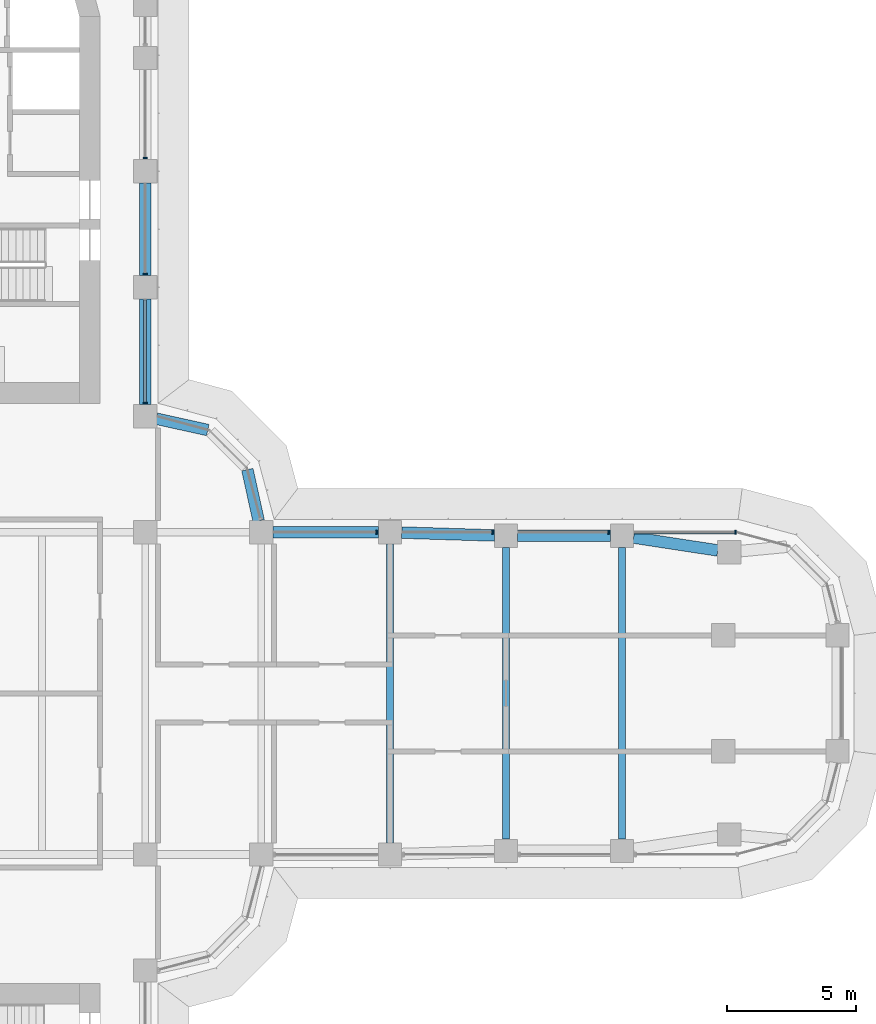
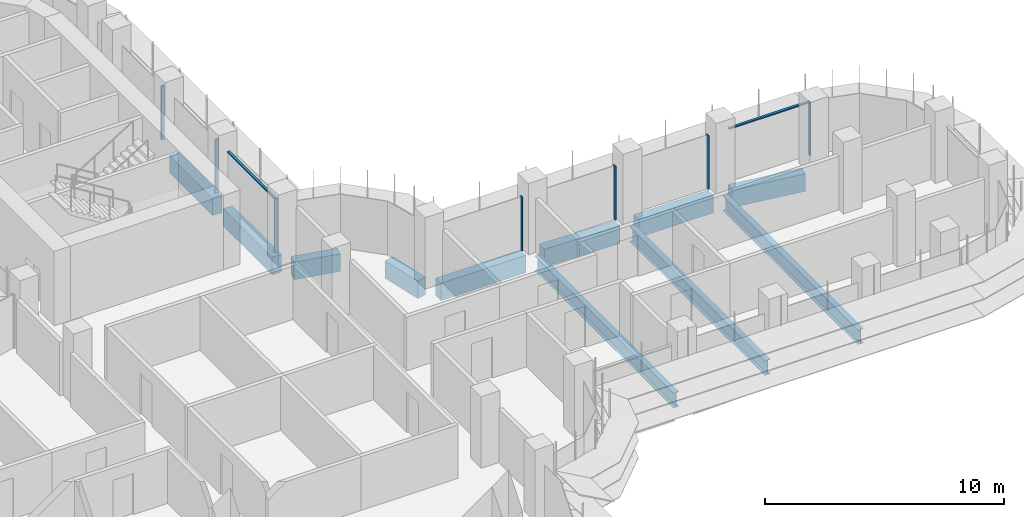
# One storey, part 8 of 22: 11 beams, 9 members, 2 elements without a shape of their own.
"""IFC4 building model written with IfcOpenShell, lengths in metres."""

from ifc_helpers import new_model, si_unit, direction, frame, origin, origin_2d, place, context, subcontext, project, spatial, polyline, rectangle, i_section, outline, extrude, source, transform, mapped, material, material_profile, profile_set, type_object, element, aggregate, save


model = new_model("IFC4")

# Units and contexts
model_context = context("Model", 3, precision=1e-05, world=origin(), true_north=direction((0.0, 1.0)))
body_context = subcontext(model_context, "Body", "Model", "MODEL_VIEW")
ifc_project = project(units=[si_unit("LENGTHUNIT", "METRE"), si_unit("AREAUNIT", "SQUARE_METRE"), si_unit("VOLUMEUNIT", "CUBIC_METRE"), si_unit("PLANEANGLEUNIT", "RADIAN"), si_unit("MASSUNIT", "GRAM", prefix="KILO")], contexts=[model_context])

# Site, building, storey
site_placement = place(None, origin())
site = spatial("IfcSite", under=ifc_project, at=site_placement, CompositionType="ELEMENT")
building_placement = place(site_placement, origin())
building = spatial("IfcBuilding", under=site, at=building_placement, Name="Zarbagh Exchange Tower", CompositionType="ELEMENT")
storey_placement = place(building_placement, frame((0.0, 0.0, 109.39990234375)))
storey = spatial("IfcBuildingStorey", under=building, at=storey_placement, Name="L25", CompositionType="ELEMENT", Elevation=109.39990234375)

# Beams
ifc_material_1 = material(Name="Steel ASTM A992 Gr 50", Category="steel")
ifc_material_profile_1 = material_profile(ifc_material_1, i_section(OverallWidth=0.2666015625, OverallDepth=0.7568359375, WebThickness=0.013916015625, FlangeThickness=0.019287109375, at=origin_2d()), Name="W30X108")
ifc_profile_set_1 = profile_set([ifc_material_profile_1], Name="Steel ASTM A992 Gr 50")
beam_type_1 = type_object("IfcBeamType", Name="Floor beam W30X108", PredefinedType="BEAM", material=ifc_profile_set_1)
beam_1_placement = place(storey_placement, frame((15.75, -5.800048828125, -0.5283203125), z_axis=(0.0, 1.0, 0.0), x_axis=(-1.0, 0.0, 0.0)))
element("IfcBeam", 1, at=beam_1_placement, inside=storey, type_object=beam_type_1, Name="Steel floor beam", PredefinedType="BEAM", context=body_context, shape_type="SweptSolid", body=[
    extrude(i_section(OverallWidth=0.2666015625, OverallDepth=0.7568359375, WebThickness=0.013916015625, FlangeThickness=0.019287109375, at=origin_2d()), origin(), (0.0, 0.0, 1.0), 11.60009765625),
])
for number, where, z_axis, x_axis, name in (
    (2, (20.25, -5.659912109375, -0.5283203125), (0.0, 1.0, 0.0), (-1.0, 0.0, 0.0), "Steel floor beam"),
    (3, (24.75, -5.659912109375, -0.5283203125), (0.0, 1.0, 0.0), (-1.0, 0.0, 0.0), "Steel floor beam"),
):
    element("IfcBeam", number, at=place(storey_placement, frame(where, z_axis=z_axis, x_axis=x_axis)), inside=storey, type_object=beam_type_1, Name=name, PredefinedType="BEAM", context=body_context, shape_type="SweptSolid", body=[
        extrude(i_section(OverallWidth=0.2666015625, OverallDepth=0.7568359375, WebThickness=0.013916015625, FlangeThickness=0.019287109375, at=origin_2d()), origin(), (0.0, 0.0, 1.0), 11.31982421875),
    ])
ifc_material_2 = material(Name="Concrete C60/75", Category="concrete")
ifc_material_profile_2 = material_profile(ifc_material_2, rectangle(XDim=0.449951171875, YDim=0.89990234375, at=origin_2d()), Name="RC spandrel beam 450 x 900 C60/75")
ifc_profile_set_2 = profile_set([ifc_material_profile_2], Name="Concrete C60/75")
beam_type_2 = type_object("IfcBeamType", Name="RC spandrel beam 450 x 900 C60/75", PredefinedType="SPANDREL", material=ifc_profile_set_2)
beam_2_placement = place(storey_placement, frame((6.25, 19.800048828125, -0.599853515625), z_axis=(0.0, -1.0, 0.0), x_axis=(1.0, 0.0, 0.0)))
element("IfcBeam", 4, at=beam_2_placement, inside=storey, type_object=beam_type_2, Name="RC spandrel beam", PredefinedType="SPANDREL", context=body_context, shape_type="SweptSolid", body=[
    extrude(rectangle(XDim=0.449951171875, YDim=0.89990234375, at=origin_2d()), origin(), (0.0, 0.0, 1.0), 3.60009765625),
])
beam_3_placement = place(storey_placement, frame((6.25, 15.300048828125, -0.599853515625), z_axis=(0.0, -1.0, 0.0), x_axis=(1.0, 0.0, 0.0)))
element("IfcBeam", 5, at=beam_3_placement, inside=storey, type_object=beam_type_2, Name="RC spandrel beam", PredefinedType="SPANDREL", context=body_context, shape_type="SweptSolid", body=[
    extrude(rectangle(XDim=0.449951171875, YDim=0.89990234375, at=origin_2d()), origin(), (0.0, 0.0, 1.0), 4.10009765625),
])
for number, where, z_axis, x_axis, name in (
    (6, (6.689453125, 10.65283203125, -0.599853515625), (0.976367325525, -0.216117666208, 0.0), (0.216117666208, 0.976367325525, 0.0), "RC spandrel beam"),
    (7, (10.212890625, 8.677001953125, -0.599853515625), (0.216117666208, -0.976367325525, 0.0), (0.976367325525, 0.216117666208, 0.0), "RC spandrel beam"),
):
    element("IfcBeam", number, at=place(storey_placement, frame(where, z_axis=z_axis, x_axis=x_axis)), inside=storey, type_object=beam_type_2, Name=name, PredefinedType="SPANDREL", context=body_context, shape_type="SweptSolid", body=[
        extrude(rectangle(XDim=0.449951171875, YDim=0.89990234375, at=origin_2d()), origin(), (0.0, 0.0, 1.0), 2.03564453125),
    ])
beam_4_placement = place(storey_placement, frame((11.199951171875, 6.25, -0.599853515625), z_axis=(1.0, 0.0, 0.0), x_axis=(0.0, 1.0, 0.0)))
element("IfcBeam", 8, at=beam_4_placement, inside=storey, type_object=beam_type_2, Name="RC spandrel beam", PredefinedType="SPANDREL", context=body_context, shape_type="SweptSolid", body=[
    extrude(rectangle(XDim=0.449951171875, YDim=0.89990234375, at=origin_2d()), origin(), (0.0, 0.0, 1.0), 4.10009765625),
])
beam_5_placement = place(storey_placement, frame((16.19970703125, 6.236083984375, -0.599853515625), z_axis=(0.999516035224, -0.031107801747, 0.0), x_axis=(0.031107801747, 0.999516035224, 0.0)))
element("IfcBeam", 9, at=beam_5_placement, inside=storey, type_object=beam_type_2, Name="RC spandrel beam", PredefinedType="SPANDREL", context=body_context, shape_type="SweptSolid", body=[
    extrude(rectangle(XDim=0.449951171875, YDim=0.89990234375, at=origin_2d()), origin(), (0.0, 0.0, 1.0), 3.602294921875),
])
beam_6_placement = place(storey_placement, frame((20.699951171875, 6.110107421875, -0.599853515625), z_axis=(1.0, 0.0, 0.0), x_axis=(0.0, 1.0, 0.0)))
element("IfcBeam", 10, at=beam_6_placement, inside=storey, type_object=beam_type_2, Name="RC spandrel beam", PredefinedType="SPANDREL", context=body_context, shape_type="SweptSolid", body=[
    extrude(rectangle(XDim=0.449951171875, YDim=0.89990234375, at=origin_2d()), origin(), (0.0, 0.0, 1.0), 3.60009765625),
])
beam_7_placement = place(storey_placement, frame((25.19482421875, 6.0419921875, -0.599853515625), z_axis=(0.988543505948, -0.150936201252, 0.0), x_axis=(0.150936201252, 0.988543505948, 0.0)))
element("IfcBeam", 11, at=beam_7_placement, inside=storey, type_object=beam_type_2, Name="RC spandrel beam", PredefinedType="SPANDREL", context=body_context, shape_type="SweptSolid", body=[
    extrude(rectangle(XDim=0.449951171875, YDim=0.89990234375, at=origin_2d()), origin(), (0.0, 0.0, 1.0), 3.30615234375),
])

# Curtain wall, members
ifc_material_3 = material(Name="Anodised aluminium frame and glazing", Category="aluminium")
curtain_wall_type = type_object("IfcCurtainWallType", Name="CWA Ribbon glazing, lower zones", PredefinedType="NOTDEFINED", material=ifc_material_3)
curtain_wall_1_placement = place(storey_placement, origin())
curtain_wall_1 = element("IfcCurtainWall", 12, at=curtain_wall_1_placement, inside=storey, type_object=curtain_wall_type, Name="CWA16 curtain wall", PredefinedType="NOTDEFINED")
ifc_material_4 = material(Name="Anodised aluminium frame", Category="aluminium")
member_type_1 = type_object("IfcMemberType", Name="MUA Mullion, anodised aluminium frame", PredefinedType="MULLION", material=ifc_material_4)
shared_shape_1 = source(origin(), body_context, "Body", "SweptSolid", [
    extrude(outline(polyline([(0.0, -0.080078125), (0.06005859375, -0.080078125), (0.06005859375, 0.080078125), (0.0, 0.080078125), (0.0, -0.080078125)])), origin(), (0.0, 0.0, 1.0), 2.75),
])
placement = place(storey_placement, origin())
member_1 = element("IfcMember", 13, at=placement, type_object=member_type_1, Name="CWA16 mullion 1.1", PredefinedType="MULLION", context=body_context, shape_type="MappedRepresentation", body=[
    mapped(shared_shape_1, transform((29.18408203125, 6.25, 0.0), x_axis=(-1.0, 0.0, 0.0), y_axis=(0.0, -1.0, 0.0), z_axis=(0.0, 0.0, 1.0))),
])
member_2 = element("IfcMember", 14, at=placement, type_object=member_type_1, Name="CWA16 mullion 2.1", PredefinedType="MULLION", context=body_context, shape_type="MappedRepresentation", body=[
    mapped(shared_shape_1, transform((24.260009765625, 6.25, 0.0), x_axis=(-1.0, 0.0, 0.0), y_axis=(0.0, -1.0, 0.0), z_axis=(0.0, 0.0, 1.0))),
])
member_3 = element("IfcMember", 15, at=placement, type_object=member_type_1, Name="CWA16 mullion 3.1", PredefinedType="MULLION", context=body_context, shape_type="MappedRepresentation", body=[
    mapped(shared_shape_1, transform((19.760009765625, 6.25, 0.0), x_axis=(-1.0, 0.0, 0.0), y_axis=(0.0, -1.0, 0.0), z_axis=(0.0, 0.0, 1.0))),
])
member_4 = element("IfcMember", 16, at=placement, type_object=member_type_1, Name="CWA16 mullion 4.1", PredefinedType="MULLION", context=body_context, shape_type="MappedRepresentation", body=[
    mapped(shared_shape_1, transform((15.260009765625, 6.25, 0.0), x_axis=(-1.0, 0.0, 0.0), y_axis=(0.0, -1.0, 0.0), z_axis=(0.0, 0.0, 1.0))),
])

curtain_wall_2_placement = place(storey_placement, origin())
curtain_wall_2 = element("IfcCurtainWall", 17, at=curtain_wall_2_placement, inside=storey, type_object=curtain_wall_type, Name="CWA49 curtain wall", PredefinedType="NOTDEFINED")
member_5 = element("IfcMember", 18, at=placement, type_object=member_type_1, Name="CWA49 mullion 1.1", PredefinedType="MULLION", context=body_context, shape_type="MappedRepresentation", body=[
    mapped(shared_shape_1, transform((6.25, 11.239990234375, 0.0), x_axis=(0.0, 1.0, 0.0), y_axis=(-1.0, 0.0, 0.0), z_axis=(0.0, 0.0, 1.0))),
])
member_6 = element("IfcMember", 19, at=placement, type_object=member_type_1, Name="CWA49 mullion 2.1", PredefinedType="MULLION", context=body_context, shape_type="MappedRepresentation", body=[
    mapped(shared_shape_1, transform((6.25, 16.239990234375, 0.0), x_axis=(0.0, 1.0, 0.0), y_axis=(-1.0, 0.0, 0.0), z_axis=(0.0, 0.0, 1.0))),
])
member_7 = element("IfcMember", 20, at=placement, type_object=member_type_1, Name="CWA49 mullion 3.1", PredefinedType="MULLION", context=body_context, shape_type="MappedRepresentation", body=[
    mapped(shared_shape_1, transform((6.25, 20.739990234375, 0.0), x_axis=(0.0, 1.0, 0.0), y_axis=(-1.0, 0.0, 0.0), z_axis=(0.0, 0.0, 1.0))),
])
member_type_2 = type_object("IfcMemberType", Name="TRA Transom, anodised aluminium frame", PredefinedType="USERDEFINED", material=ifc_material_4)
shared_shape_2 = source(origin(), body_context, "Body", "SweptSolid", [
    extrude(outline(polyline([(-0.06005859375, -0.06005859375), (0.0, -0.06005859375), (0.0, 0.06005859375), (-0.06005859375, 0.06005859375), (-0.06005859375, -0.06005859375)])), origin(), (0.0, 0.0, 1.0), 3.9599609375),
])
member_8 = element("IfcMember", 21, at=placement, type_object=member_type_2, Name="CWA49 transom 1.1", ObjectType="TRANSOM", PredefinedType="USERDEFINED", context=body_context, shape_type="MappedRepresentation", body=[
    mapped(shared_shape_2, transform((6.25, 11.300048828125, 2.75), x_axis=(0.0, 0.0, 1.0), y_axis=(1.0, 0.0, 0.0), z_axis=(0.0, 1.0, 0.0))),
])
aggregate(curtain_wall_2, [member_5, member_8, member_6, member_7])

# Member
shared_shape_3 = source(origin(), body_context, "Body", "SweptSolid", [
    extrude(outline(polyline([(-0.06005859375, -0.06005859375), (0.0, -0.06005859375), (0.0, 0.06005859375), (-0.06005859375, 0.06005859375), (-0.06005859375, -0.06005859375)])), origin(), (0.0, 0.0, 1.0), 3.88427734375),
])
member_9 = element("IfcMember", 22, at=placement, type_object=member_type_2, Name="CWA16 transom 1.1", ObjectType="TRANSOM", PredefinedType="USERDEFINED", context=body_context, shape_type="MappedRepresentation", body=[
    mapped(shared_shape_3, transform((29.124267578125, 6.25, 2.75), x_axis=(0.0, 0.0, 1.0), y_axis=(0.0, 1.0, 0.0), z_axis=(-1.0, 0.0, 0.0))),
])

aggregate(curtain_wall_1, [member_1, member_9, member_2, member_3, member_4])

save(model, "model.ifc")
